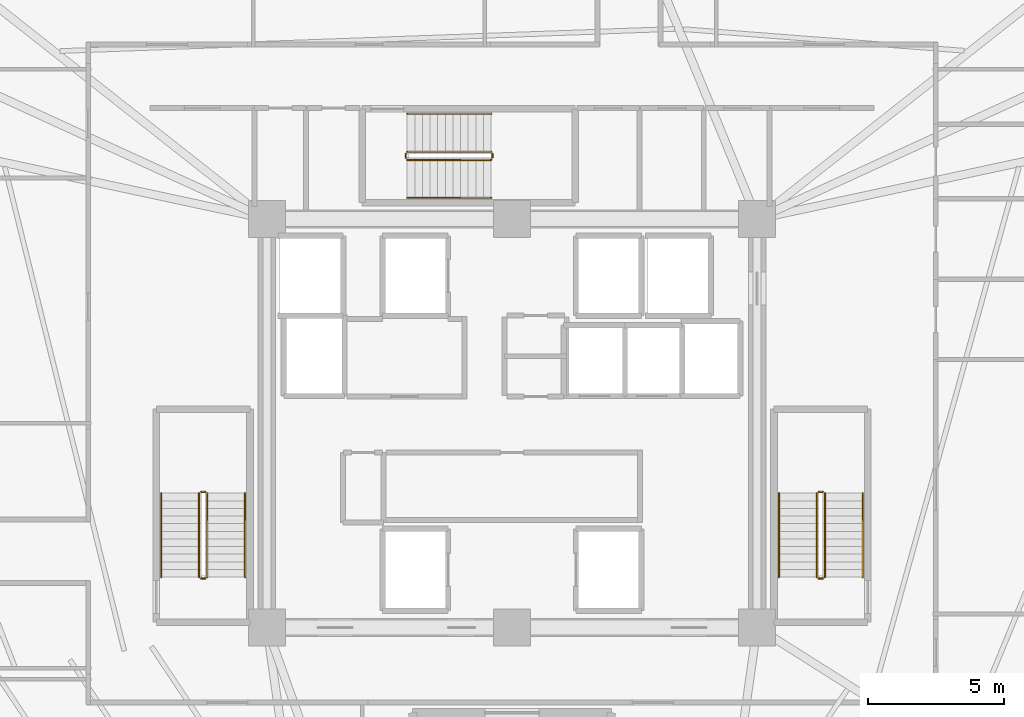
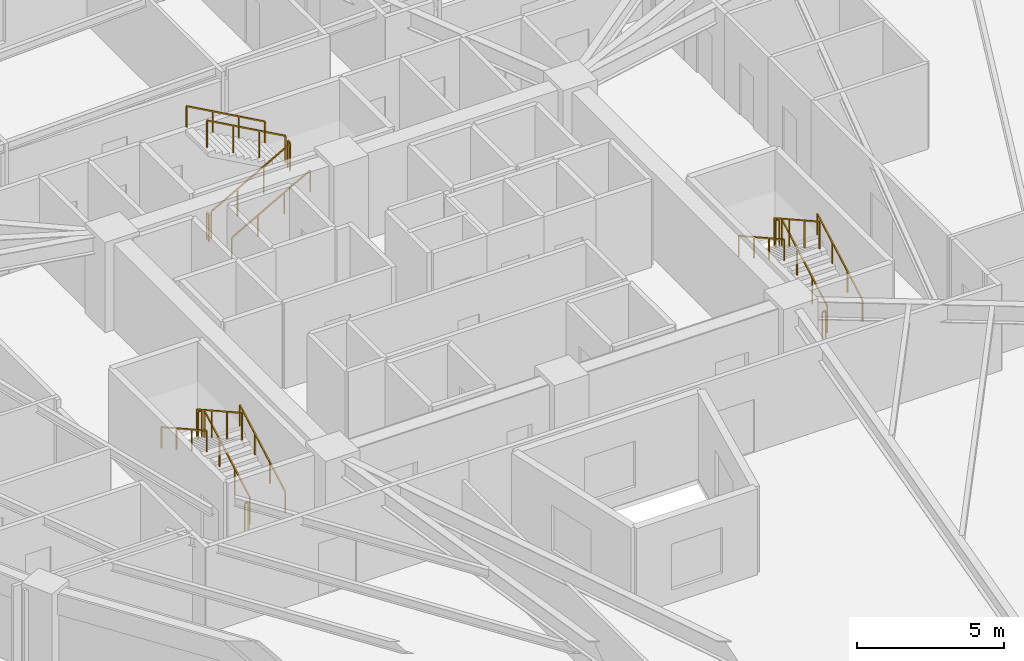
# One storey, part 8 of 8: 18 railings.
"""IFC4 building model written with IfcOpenShell, lengths in metres."""

import ifcopenshell
import ifcopenshell.guid

model = None  # the IFC model being written
_history = None  # IfcOwnerHistory: only IFC2X3 demands one
_inside = {}  # id of a spatial element -> (the spatial element, [elements in it])
_under = {}  # id of a project, library or spatial element -> (it, [spatial elements below it])
_declared = {}  # id of a project -> (the project, [libraries it declares])
_typed = {}  # id of a type object -> (the type object, [elements of that type])
_made_of = {}  # id of a material, layer set ... -> (it, [elements and type objects made of it])


def new_model(schema):
    """Start an empty IFC model of exactly this schema.

    Asked for "IFC4X3", IfcOpenShell would pick the latest addendum, in which some entities
    have other attributes; the version numbers below select the first issue.
    IFC2X3 requires an IfcOwnerHistory on every rooted entity: one is made here for all.
    """
    global model, _history
    if schema == "IFC4X3":
        model = ifcopenshell.file(schema_version=(4, 3, 0, 0))
    else:
        model = ifcopenshell.file(schema=schema)
    _inside.clear()
    _under.clear()
    _declared.clear()
    _typed.clear()
    _made_of.clear()
    _history = None
    if model.schema == "IFC2X3":
        org = make("IfcOrganization", Name="unknown")
        user = make(
            "IfcPersonAndOrganization",
            ThePerson=make("IfcPerson", FamilyName="unknown"),
            TheOrganization=org,
        )
        app = make(
            "IfcApplication",
            ApplicationDeveloper=org,
            Version="unknown",
            ApplicationFullName="unknown",
            ApplicationIdentifier="unknown",
        )
        _history = make(
            "IfcOwnerHistory",
            OwningUser=user,
            OwningApplication=app,
            ChangeAction="ADDED",
            CreationDate=0,
        )
    return model


def make(cls, **values):
    """One entity of the class cls with the attributes given. An attribute that is None is left unset."""
    return model.create_entity(
        cls, **{name: value for name, value in values.items() if value is not None}
    )


def rooted(cls, **values):
    """An entity with a GlobalId (a new one), such as an element, a storey or a relation."""
    return make(cls, GlobalId=ifcopenshell.guid.new(), OwnerHistory=_history, **values)


def si_unit(unit_type, name, prefix=None):
    """IfcSIUnit, for example si_unit("LENGTHUNIT", "METRE", prefix="MILLI")."""
    return make("IfcSIUnit", UnitType=unit_type, Prefix=prefix, Name=name)


def assignment(units):
    """IfcUnitAssignment: the units of a project."""
    return None if units is None else make("IfcUnitAssignment", Units=units)


def point(xyz):
    """IfcCartesianPoint."""
    return None if xyz is None else make("IfcCartesianPoint", Coordinates=xyz)


def direction(xyz):
    """IfcDirection."""
    return None if xyz is None else make("IfcDirection", DirectionRatios=xyz)


def frame(location, z_axis=None, x_axis=None):
    """IfcAxis2Placement3D, a coordinate frame: its origin and axes. An axis left out is left unset."""
    return make(
        "IfcAxis2Placement3D",
        Location=point(location),
        Axis=direction(z_axis),
        RefDirection=direction(x_axis),
    )


def frame_2d(location, x_axis=None):
    """IfcAxis2Placement2D, a coordinate frame in the plane: its origin and x axis."""
    return make(
        "IfcAxis2Placement2D", Location=point(location), RefDirection=direction(x_axis)
    )


def origin():
    """The frame at (0, 0, 0) with its axes left unset."""
    return frame((0.0, 0.0, 0.0))


def origin_2d():
    """The frame at (0, 0) in the plane with its x axis left unset."""
    return frame_2d((0.0, 0.0))


def place(relative_to, where):
    """IfcLocalPlacement: puts the frame where relative to a parent placement (None: the world)."""
    return make(
        "IfcLocalPlacement", PlacementRelTo=relative_to, RelativePlacement=where
    )


def context(
    kind, dimensions, precision=None, world=None, true_north=None, identifier=None
):
    """IfcGeometricRepresentationContext, for example the 3D "Model" context."""
    return make(
        "IfcGeometricRepresentationContext",
        ContextIdentifier=identifier,
        ContextType=kind,
        CoordinateSpaceDimension=dimensions,
        Precision=precision,
        WorldCoordinateSystem=world,
        TrueNorth=true_north,
    )


def subcontext(parent, identifier, kind, view, scale=None):
    """IfcGeometricRepresentationSubContext, for example "Body" below "Model"."""
    return make(
        "IfcGeometricRepresentationSubContext",
        ContextIdentifier=identifier,
        ContextType=kind,
        ParentContext=parent,
        TargetScale=scale,
        TargetView=view,
    )


def project(units=None, contexts=None):
    """IfcProject with its units and contexts."""
    return rooted(
        "IfcProject",
        Name="project",
        RepresentationContexts=contexts,
        UnitsInContext=assignment(units),
    )


def spatial(cls, under=None, at=None, **own):
    """A site, building, storey or space (cls), placed at a placement, below another one or the project."""
    s = rooted(cls, ObjectPlacement=at, **own)
    if under is not None:
        _under.setdefault(under.id(), (under, []))[1].append(s)
    return s


def profile(cls, at=None, kind="AREA", **sizes):
    """A parametric profile (cls). Its sizes go by their IFC names, for example OverallWidth=200.0."""
    return make(cls, ProfileType=kind, Position=at, **sizes)


def rectangle(**sizes):
    """IfcRectangleProfileDef."""
    return profile("IfcRectangleProfileDef", **sizes)


def extrude(swept, where, along, depth):
    """IfcExtrudedAreaSolid: the profile swept, set in the frame where, extruded along a direction by depth."""
    return make(
        "IfcExtrudedAreaSolid",
        SweptArea=swept,
        Position=where,
        ExtrudedDirection=direction(along),
        Depth=depth,
    )


def shape(context_of_items, identifier, shape_type, items):
    """IfcShapeRepresentation: the items that make up one representation, for example the "Body"."""
    return make(
        "IfcShapeRepresentation",
        ContextOfItems=context_of_items,
        RepresentationIdentifier=identifier,
        RepresentationType=shape_type,
        Items=items,
    )


def material(Name=None, Category=None):
    """IfcMaterial."""
    return make("IfcMaterial", Name=Name, Category=Category)


def made_of(thing, what):
    """Note that an element or type object is made of a material, layer set ...; save() writes the relation."""
    if what is not None:
        _made_of.setdefault(what.id(), (what, []))[1].append(thing)
    return thing


def type_object(cls, material=None, **own):
    """A type object (cls), such as IfcWallType, which elements share."""
    return made_of(rooted(cls, **own), material)


def element(
    cls,
    number,
    at=None,
    inside=None,
    cuts=None,
    type_object=None,
    material=None,
    context=None,
    identifier="Body",
    shape_type=None,
    held_by="IfcProductDefinitionShape",
    body=None,
    shapes=None,
    **own,
):
    """One element of the class cls, such as IfcWall. Its Tag is "e" and its number.

    at: its placement. inside: the storey or other place that contains it. cuts: it is an
    opening in that element (IfcRelVoidsElement). A single representation is given by context,
    identifier, shape_type and body (its items); several are given by shapes. held_by: the class
    of the entity that holds the representations. save() writes the other relations.
    """
    e = rooted(cls, Tag="e%d" % number, ObjectPlacement=at, **own)
    if body is not None:
        shapes = [shape(context, identifier, shape_type, body)]
    if shapes is not None:
        e.Representation = make(held_by, Representations=shapes)
    if inside is not None:
        _inside.setdefault(inside.id(), (inside, []))[1].append(e)
    if cuts is not None:
        rooted(
            "IfcRelVoidsElement", RelatingBuildingElement=cuts, RelatedOpeningElement=e
        )
    if type_object is not None:
        _typed.setdefault(type_object.id(), (type_object, []))[1].append(e)
    return made_of(e, material)


def aggregate(whole, parts):
    """IfcRelAggregates: a whole, such as a stair, and the parts it consists of."""
    return rooted("IfcRelAggregates", RelatingObject=whole, RelatedObjects=parts)


def save(model, path):
    """Write the relations noted so far, then the file.

    IfcRelAggregates (storeys below a building ...), IfcRelContainedInSpatialStructure (elements
    in a storey), IfcRelDefinesByType, IfcRelAssociatesMaterial and IfcRelDeclares: one each for
    every whole, place, type object, material and project.
    """
    for whole, parts in _under.values():
        aggregate(whole, parts)
    for where, things in _inside.values():
        rooted(
            "IfcRelContainedInSpatialStructure",
            RelatedElements=things,
            RelatingStructure=where,
        )
    for kind, things in _typed.values():
        rooted("IfcRelDefinesByType", RelatedObjects=things, RelatingType=kind)
    for what, things in _made_of.values():
        rooted("IfcRelAssociatesMaterial", RelatedObjects=things, RelatingMaterial=what)
    for by, libraries in _declared.values():
        rooted("IfcRelDeclares", RelatingContext=by, RelatedDefinitions=libraries)
    model.write(path)


model = new_model("IFC4")

# Units and contexts
model_context = context("Model", 3, precision=1e-05, world=origin(), true_north=direction((0.0, 1.0)))
body_context = subcontext(model_context, "Body", "Model", "MODEL_VIEW")
ifc_project = project(units=[si_unit("LENGTHUNIT", "METRE"), si_unit("AREAUNIT", "SQUARE_METRE"), si_unit("VOLUMEUNIT", "CUBIC_METRE"), si_unit("PLANEANGLEUNIT", "RADIAN"), si_unit("MASSUNIT", "GRAM", prefix="KILO")], contexts=[model_context])

# Site, building, storey
site_placement = place(None, origin())
site = spatial("IfcSite", under=ifc_project, at=site_placement, CompositionType="ELEMENT")
building_placement = place(site_placement, origin())
building = spatial("IfcBuilding", under=site, at=building_placement, Name="Liaohun Quay Tower", CompositionType="ELEMENT")
storey_placement = place(building_placement, frame((0.0, 0.0, 247.5)))
storey = spatial("IfcBuildingStorey", under=building, at=storey_placement, Name="L64", CompositionType="ELEMENT", Elevation=247.5)

# Railings
ifc_material_1 = material(Name="Painted tubular steel", Category="steel")
railing_type_1 = type_object("IfcRailingType", Name="RLG-GUARD-STR", PredefinedType="GUARDRAIL", material=ifc_material_1)
railing_1_placement = place(storey_placement, frame((48.81005859375, 48.35009765625, 0.15625)))
element("IfcRailing", 1, at=railing_1_placement, inside=storey, type_object=railing_type_1, Name="L64 ST-1 stair guard 1", PredefinedType="GUARDRAIL", context=body_context, shape_type="SweptSolid", body=[
    extrude(rectangle(XDim=0.048095703125, YDim=0.048095703125, at=origin_2d()), frame((0.0, 0.0, 1.1259765625), z_axis=(0.0, 0.873225103656, 0.487317061414), x_axis=(-1.0, 0.0, 0.0)), (0.0, 0.0, 1.0), 3.52685546875),
    extrude(rectangle(XDim=0.0419921875, YDim=0.0419921875, at=origin_2d()), origin(), (0.0, 0.0, 1.0), 1.101806640625),
    extrude(rectangle(XDim=0.0419921875, YDim=0.0419921875, at=origin_2d()), frame((0.0, 1.026611328125, 0.572998046875)), (0.0, 0.0, 1.0), 1.101806640625),
    extrude(rectangle(XDim=0.0419921875, YDim=0.0419921875, at=origin_2d()), frame((0.0, 2.05322265625, 1.145751953125)), (0.0, 0.0, 1.0), 1.101806640625),
    extrude(rectangle(XDim=0.0419921875, YDim=0.0419921875, at=origin_2d()), frame((0.0, 3.079833984375, 1.71875)), (0.0, 0.0, 1.0), 1.101806640625),
])
railing_2_placement = place(storey_placement, frame((48.72998046875, 51.47998046875, 1.875)))
element("IfcRailing", 2, at=railing_2_placement, inside=storey, type_object=railing_type_1, Name="L64 ST-1 stair guard 2", PredefinedType="GUARDRAIL", context=body_context, shape_type="SweptSolid", body=[
    extrude(rectangle(XDim=0.048095703125, YDim=0.048095703125, at=origin_2d()), frame((0.0, 0.0, 1.1259765625), z_axis=(-1.0, 0.0, 0.0), x_axis=(0.0, -1.0, 0.0)), (0.0, 0.0, 1.0), 0.139892578125),
    extrude(rectangle(XDim=0.0419921875, YDim=0.0419921875, at=origin_2d()), origin(), (0.0, 0.0, 1.0), 1.101806640625),
    extrude(rectangle(XDim=0.0419921875, YDim=0.0419921875, at=origin_2d()), frame((-0.139892578125, 0.0, 0.0)), (0.0, 0.0, 1.0), 1.101806640625),
])
railing_3_placement = place(storey_placement, frame((48.510009765625, 51.429931640625, 2.03125)))
element("IfcRailing", 3, at=railing_3_placement, inside=storey, type_object=railing_type_1, Name="L64 ST-1 stair guard 3", PredefinedType="GUARDRAIL", context=body_context, shape_type="SweptSolid", body=[
    extrude(rectangle(XDim=0.048095703125, YDim=0.048095703125, at=origin_2d()), frame((0.0, 0.0, 1.1259765625), z_axis=(0.0, -0.873225103656, 0.487317061414), x_axis=(1.0, 0.0, 0.0)), (0.0, 0.0, 1.0), 3.52685546875),
    extrude(rectangle(XDim=0.0419921875, YDim=0.0419921875, at=origin_2d()), origin(), (0.0, 0.0, 1.0), 1.101806640625),
    extrude(rectangle(XDim=0.0419921875, YDim=0.0419921875, at=origin_2d()), frame((0.0, -1.026611328125, 0.572998046875)), (0.0, 0.0, 1.0), 1.101806640625),
    extrude(rectangle(XDim=0.0419921875, YDim=0.0419921875, at=origin_2d()), frame((0.0, -2.05322265625, 1.145751953125)), (0.0, 0.0, 1.0), 1.101806640625),
    extrude(rectangle(XDim=0.0419921875, YDim=0.0419921875, at=origin_2d()), frame((0.0, -3.079833984375, 1.71875)), (0.0, 0.0, 1.0), 1.101806640625),
])
railing_4_placement = place(storey_placement, frame((48.72998046875, 48.300048828125, 0.0)))
element("IfcRailing", 4, at=railing_4_placement, inside=storey, type_object=railing_type_1, Name="L64 ST-1 stair guard 4", PredefinedType="GUARDRAIL", context=body_context, shape_type="SweptSolid", body=[
    extrude(rectangle(XDim=0.048095703125, YDim=0.048095703125, at=origin_2d()), frame((0.0, 0.0, 1.1259765625), z_axis=(-1.0, 0.0, 0.0), x_axis=(0.0, -1.0, 0.0)), (0.0, 0.0, 1.0), 0.139892578125),
    extrude(rectangle(XDim=0.0419921875, YDim=0.0419921875, at=origin_2d()), origin(), (0.0, 0.0, 1.0), 1.101806640625),
    extrude(rectangle(XDim=0.0419921875, YDim=0.0419921875, at=origin_2d()), frame((-0.139892578125, 0.0, 0.0)), (0.0, 0.0, 1.0), 1.101806640625),
])
railing_5_placement = place(storey_placement, frame((71.489990234375, 48.35009765625, 0.15625)))
element("IfcRailing", 5, at=railing_5_placement, inside=storey, type_object=railing_type_1, Name="L64 ST-2 stair guard 1", PredefinedType="GUARDRAIL", context=body_context, shape_type="SweptSolid", body=[
    extrude(rectangle(XDim=0.048095703125, YDim=0.048095703125, at=origin_2d()), frame((0.0, 0.0, 1.1259765625), z_axis=(0.0, 0.873225103656, 0.487317061414), x_axis=(-1.0, 0.0, 0.0)), (0.0, 0.0, 1.0), 3.52685546875),
    extrude(rectangle(XDim=0.0419921875, YDim=0.0419921875, at=origin_2d()), origin(), (0.0, 0.0, 1.0), 1.101806640625),
    extrude(rectangle(XDim=0.0419921875, YDim=0.0419921875, at=origin_2d()), frame((0.0, 1.026611328125, 0.572998046875)), (0.0, 0.0, 1.0), 1.101806640625),
    extrude(rectangle(XDim=0.0419921875, YDim=0.0419921875, at=origin_2d()), frame((0.0, 2.05322265625, 1.145751953125)), (0.0, 0.0, 1.0), 1.101806640625),
    extrude(rectangle(XDim=0.0419921875, YDim=0.0419921875, at=origin_2d()), frame((0.0, 3.079833984375, 1.71875)), (0.0, 0.0, 1.0), 1.101806640625),
])
railing_6_placement = place(storey_placement, frame((71.409912109375, 51.47998046875, 1.875)))
element("IfcRailing", 6, at=railing_6_placement, inside=storey, type_object=railing_type_1, Name="L64 ST-2 stair guard 2", PredefinedType="GUARDRAIL", context=body_context, shape_type="SweptSolid", body=[
    extrude(rectangle(XDim=0.048095703125, YDim=0.048095703125, at=origin_2d()), frame((0.0, 0.0, 1.1259765625), z_axis=(-1.0, 0.0, 0.0), x_axis=(0.0, -1.0, 0.0)), (0.0, 0.0, 1.0), 0.139892578125),
    extrude(rectangle(XDim=0.0419921875, YDim=0.0419921875, at=origin_2d()), origin(), (0.0, 0.0, 1.0), 1.101806640625),
    extrude(rectangle(XDim=0.0419921875, YDim=0.0419921875, at=origin_2d()), frame((-0.139892578125, 0.0, 0.0)), (0.0, 0.0, 1.0), 1.101806640625),
])
railing_7_placement = place(storey_placement, frame((71.18994140625, 51.429931640625, 2.03125)))
element("IfcRailing", 7, at=railing_7_placement, inside=storey, type_object=railing_type_1, Name="L64 ST-2 stair guard 3", PredefinedType="GUARDRAIL", context=body_context, shape_type="SweptSolid", body=[
    extrude(rectangle(XDim=0.048095703125, YDim=0.048095703125, at=origin_2d()), frame((0.0, 0.0, 1.1259765625), z_axis=(0.0, -0.873225103656, 0.487317061414), x_axis=(1.0, 0.0, 0.0)), (0.0, 0.0, 1.0), 3.52685546875),
    extrude(rectangle(XDim=0.0419921875, YDim=0.0419921875, at=origin_2d()), origin(), (0.0, 0.0, 1.0), 1.101806640625),
    extrude(rectangle(XDim=0.0419921875, YDim=0.0419921875, at=origin_2d()), frame((0.0, -1.026611328125, 0.572998046875)), (0.0, 0.0, 1.0), 1.101806640625),
    extrude(rectangle(XDim=0.0419921875, YDim=0.0419921875, at=origin_2d()), frame((0.0, -2.05322265625, 1.145751953125)), (0.0, 0.0, 1.0), 1.101806640625),
    extrude(rectangle(XDim=0.0419921875, YDim=0.0419921875, at=origin_2d()), frame((0.0, -3.079833984375, 1.71875)), (0.0, 0.0, 1.0), 1.101806640625),
])
railing_8_placement = place(storey_placement, frame((71.409912109375, 48.300048828125, 0.0)))
element("IfcRailing", 8, at=railing_8_placement, inside=storey, type_object=railing_type_1, Name="L64 ST-2 stair guard 4", PredefinedType="GUARDRAIL", context=body_context, shape_type="SweptSolid", body=[
    extrude(rectangle(XDim=0.048095703125, YDim=0.048095703125, at=origin_2d()), frame((0.0, 0.0, 1.1259765625), z_axis=(-1.0, 0.0, 0.0), x_axis=(0.0, -1.0, 0.0)), (0.0, 0.0, 1.0), 0.139892578125),
    extrude(rectangle(XDim=0.0419921875, YDim=0.0419921875, at=origin_2d()), origin(), (0.0, 0.0, 1.0), 1.101806640625),
    extrude(rectangle(XDim=0.0419921875, YDim=0.0419921875, at=origin_2d()), frame((-0.139892578125, 0.0, 0.0)), (0.0, 0.0, 1.0), 1.101806640625),
])
railing_9_placement = place(storey_placement, frame((56.14990234375, 63.669921875, 0.15625)))
element("IfcRailing", 9, at=railing_9_placement, inside=storey, type_object=railing_type_1, Name="L64 ST-3 stair guard 1", PredefinedType="GUARDRAIL", context=body_context, shape_type="SweptSolid", body=[
    extrude(rectangle(XDim=0.048095703125, YDim=0.048095703125, at=origin_2d()), frame((0.0, 0.0, 1.1259765625), z_axis=(0.873241540666, 0.0, 0.487287606713), x_axis=(0.0, 1.0, 0.0)), (0.0, 0.0, 1.0), 3.527099609375),
    extrude(rectangle(XDim=0.0419921875, YDim=0.0419921875, at=origin_2d()), origin(), (0.0, 0.0, 1.0), 1.101806640625),
    extrude(rectangle(XDim=0.0419921875, YDim=0.0419921875, at=origin_2d()), frame((1.026611328125, 0.0, 0.572998046875)), (0.0, 0.0, 1.0), 1.101806640625),
    extrude(rectangle(XDim=0.0419921875, YDim=0.0419921875, at=origin_2d()), frame((2.053466796875, 0.0, 1.145751953125)), (0.0, 0.0, 1.0), 1.101806640625),
    extrude(rectangle(XDim=0.0419921875, YDim=0.0419921875, at=origin_2d()), frame((3.080078125, 0.0, 1.71875)), (0.0, 0.0, 1.0), 1.101806640625),
])
railing_10_placement = place(storey_placement, frame((59.280029296875, 63.75, 1.875)))
element("IfcRailing", 10, at=railing_10_placement, inside=storey, type_object=railing_type_1, Name="L64 ST-3 stair guard 2", PredefinedType="GUARDRAIL", context=body_context, shape_type="SweptSolid", body=[
    extrude(rectangle(XDim=0.048095703125, YDim=0.048095703125, at=origin_2d()), frame((0.0, 0.0, 1.1259765625), z_axis=(0.0, 1.0, 0.0), x_axis=(-1.0, 0.0, 0.0)), (0.0, 0.0, 1.0), 0.139892578125),
    extrude(rectangle(XDim=0.0419921875, YDim=0.0419921875, at=origin_2d()), origin(), (0.0, 0.0, 1.0), 1.101806640625),
    extrude(rectangle(XDim=0.0419921875, YDim=0.0419921875, at=origin_2d()), frame((0.0, 0.139892578125, 0.0)), (0.0, 0.0, 1.0), 1.101806640625),
])
railing_11_placement = place(storey_placement, frame((59.22998046875, 63.969970703125, 2.03125)))
element("IfcRailing", 11, at=railing_11_placement, inside=storey, type_object=railing_type_1, Name="L64 ST-3 stair guard 3", PredefinedType="GUARDRAIL", context=body_context, shape_type="SweptSolid", body=[
    extrude(rectangle(XDim=0.048095703125, YDim=0.048095703125, at=origin_2d()), frame((0.0, 0.0, 1.1259765625), z_axis=(-0.873241540666, 0.0, 0.487287606713), x_axis=(0.0, -1.0, 0.0)), (0.0, 0.0, 1.0), 3.527099609375),
    extrude(rectangle(XDim=0.0419921875, YDim=0.0419921875, at=origin_2d()), origin(), (0.0, 0.0, 1.0), 1.101806640625),
    extrude(rectangle(XDim=0.0419921875, YDim=0.0419921875, at=origin_2d()), frame((-1.026611328125, 0.0, 0.572998046875)), (0.0, 0.0, 1.0), 1.101806640625),
    extrude(rectangle(XDim=0.0419921875, YDim=0.0419921875, at=origin_2d()), frame((-2.053466796875, 0.0, 1.145751953125)), (0.0, 0.0, 1.0), 1.101806640625),
    extrude(rectangle(XDim=0.0419921875, YDim=0.0419921875, at=origin_2d()), frame((-3.080078125, 0.0, 1.71875)), (0.0, 0.0, 1.0), 1.101806640625),
])
railing_12_placement = place(storey_placement, frame((56.10009765625, 63.75, 0.0)))
element("IfcRailing", 12, at=railing_12_placement, inside=storey, type_object=railing_type_1, Name="L64 ST-3 stair guard 4", PredefinedType="GUARDRAIL", context=body_context, shape_type="SweptSolid", body=[
    extrude(rectangle(XDim=0.048095703125, YDim=0.048095703125, at=origin_2d()), frame((0.0, 0.0, 1.1259765625), z_axis=(0.0, 1.0, 0.0), x_axis=(-1.0, 0.0, 0.0)), (0.0, 0.0, 1.0), 0.139892578125),
    extrude(rectangle(XDim=0.0419921875, YDim=0.0419921875, at=origin_2d()), origin(), (0.0, 0.0, 1.0), 1.101806640625),
    extrude(rectangle(XDim=0.0419921875, YDim=0.0419921875, at=origin_2d()), frame((0.0, 0.139892578125, 0.0)), (0.0, 0.0, 1.0), 1.101806640625),
])
ifc_material_2 = material(Name="Brushed stainless steel", Category="steel")
railing_type_2 = type_object("IfcRailingType", Name="RLG-HND-STR", PredefinedType="HANDRAIL", material=ifc_material_2)
railing_13_placement = place(storey_placement, frame((50.199951171875, 48.35009765625, 0.15625)))
element("IfcRailing", 13, at=railing_13_placement, inside=storey, type_object=railing_type_2, Name="L64 ST-1 stair handrail 1", PredefinedType="HANDRAIL", context=body_context, shape_type="SweptSolid", body=[
    extrude(rectangle(XDim=0.048095703125, YDim=0.048095703125, at=origin_2d()), frame((0.0, 0.0, 0.8759765625), z_axis=(0.0, 0.873225103656, 0.487317061414), x_axis=(-1.0, 0.0, 0.0)), (0.0, 0.0, 1.0), 3.52685546875),
    extrude(rectangle(XDim=0.0419921875, YDim=0.0419921875, at=origin_2d()), origin(), (0.0, 0.0, 1.0), 0.851806640625),
    extrude(rectangle(XDim=0.0419921875, YDim=0.0419921875, at=origin_2d()), frame((0.0, 1.026611328125, 0.572998046875)), (0.0, 0.0, 1.0), 0.851806640625),
    extrude(rectangle(XDim=0.0419921875, YDim=0.0419921875, at=origin_2d()), frame((0.0, 2.05322265625, 1.145751953125)), (0.0, 0.0, 1.0), 0.851806640625),
    extrude(rectangle(XDim=0.0419921875, YDim=0.0419921875, at=origin_2d()), frame((0.0, 3.079833984375, 1.71875)), (0.0, 0.0, 1.0), 0.851806640625),
])
railing_14_placement = place(storey_placement, frame((47.1201171875, 51.429931640625, 2.03125)))
element("IfcRailing", 14, at=railing_14_placement, inside=storey, type_object=railing_type_2, Name="L64 ST-1 stair handrail 2", PredefinedType="HANDRAIL", context=body_context, shape_type="SweptSolid", body=[
    extrude(rectangle(XDim=0.048095703125, YDim=0.048095703125, at=origin_2d()), frame((0.0, 0.0, 0.8759765625), z_axis=(0.0, -0.873225103656, 0.487317061414), x_axis=(1.0, 0.0, 0.0)), (0.0, 0.0, 1.0), 3.52685546875),
    extrude(rectangle(XDim=0.0419921875, YDim=0.0419921875, at=origin_2d()), origin(), (0.0, 0.0, 1.0), 0.851806640625),
    extrude(rectangle(XDim=0.0419921875, YDim=0.0419921875, at=origin_2d()), frame((0.0, -1.026611328125, 0.572998046875)), (0.0, 0.0, 1.0), 0.851806640625),
    extrude(rectangle(XDim=0.0419921875, YDim=0.0419921875, at=origin_2d()), frame((0.0, -2.05322265625, 1.145751953125)), (0.0, 0.0, 1.0), 0.851806640625),
    extrude(rectangle(XDim=0.0419921875, YDim=0.0419921875, at=origin_2d()), frame((0.0, -3.079833984375, 1.71875)), (0.0, 0.0, 1.0), 0.851806640625),
])
railing_15_placement = place(storey_placement, frame((72.8798828125, 48.35009765625, 0.15625)))
element("IfcRailing", 15, at=railing_15_placement, inside=storey, type_object=railing_type_2, Name="L64 ST-2 stair handrail 1", PredefinedType="HANDRAIL", context=body_context, shape_type="SweptSolid", body=[
    extrude(rectangle(XDim=0.048095703125, YDim=0.048095703125, at=origin_2d()), frame((0.0, 0.0, 0.8759765625), z_axis=(0.0, 0.873225103656, 0.487317061414), x_axis=(-1.0, 0.0, 0.0)), (0.0, 0.0, 1.0), 3.52685546875),
    extrude(rectangle(XDim=0.0419921875, YDim=0.0419921875, at=origin_2d()), origin(), (0.0, 0.0, 1.0), 0.851806640625),
    extrude(rectangle(XDim=0.0419921875, YDim=0.0419921875, at=origin_2d()), frame((0.0, 1.026611328125, 0.572998046875)), (0.0, 0.0, 1.0), 0.851806640625),
    extrude(rectangle(XDim=0.0419921875, YDim=0.0419921875, at=origin_2d()), frame((0.0, 2.05322265625, 1.145751953125)), (0.0, 0.0, 1.0), 0.851806640625),
    extrude(rectangle(XDim=0.0419921875, YDim=0.0419921875, at=origin_2d()), frame((0.0, 3.079833984375, 1.71875)), (0.0, 0.0, 1.0), 0.851806640625),
])
railing_16_placement = place(storey_placement, frame((69.800048828125, 51.429931640625, 2.03125)))
element("IfcRailing", 16, at=railing_16_placement, inside=storey, type_object=railing_type_2, Name="L64 ST-2 stair handrail 2", PredefinedType="HANDRAIL", context=body_context, shape_type="SweptSolid", body=[
    extrude(rectangle(XDim=0.048095703125, YDim=0.048095703125, at=origin_2d()), frame((0.0, 0.0, 0.8759765625), z_axis=(0.0, -0.873225103656, 0.487317061414), x_axis=(1.0, 0.0, 0.0)), (0.0, 0.0, 1.0), 3.52685546875),
    extrude(rectangle(XDim=0.0419921875, YDim=0.0419921875, at=origin_2d()), origin(), (0.0, 0.0, 1.0), 0.851806640625),
    extrude(rectangle(XDim=0.0419921875, YDim=0.0419921875, at=origin_2d()), frame((0.0, -1.026611328125, 0.572998046875)), (0.0, 0.0, 1.0), 0.851806640625),
    extrude(rectangle(XDim=0.0419921875, YDim=0.0419921875, at=origin_2d()), frame((0.0, -2.05322265625, 1.145751953125)), (0.0, 0.0, 1.0), 0.851806640625),
    extrude(rectangle(XDim=0.0419921875, YDim=0.0419921875, at=origin_2d()), frame((0.0, -3.079833984375, 1.71875)), (0.0, 0.0, 1.0), 0.851806640625),
])
railing_17_placement = place(storey_placement, frame((56.14990234375, 62.280029296875, 0.15625)))
element("IfcRailing", 17, at=railing_17_placement, inside=storey, type_object=railing_type_2, Name="L64 ST-3 stair handrail 1", PredefinedType="HANDRAIL", context=body_context, shape_type="SweptSolid", body=[
    extrude(rectangle(XDim=0.048095703125, YDim=0.048095703125, at=origin_2d()), frame((0.0, 0.0, 0.8759765625), z_axis=(0.873241540666, 0.0, 0.487287606713), x_axis=(0.0, 1.0, 0.0)), (0.0, 0.0, 1.0), 3.527099609375),
    extrude(rectangle(XDim=0.0419921875, YDim=0.0419921875, at=origin_2d()), origin(), (0.0, 0.0, 1.0), 0.851806640625),
    extrude(rectangle(XDim=0.0419921875, YDim=0.0419921875, at=origin_2d()), frame((1.026611328125, 0.0, 0.572998046875)), (0.0, 0.0, 1.0), 0.851806640625),
    extrude(rectangle(XDim=0.0419921875, YDim=0.0419921875, at=origin_2d()), frame((2.053466796875, 0.0, 1.145751953125)), (0.0, 0.0, 1.0), 0.851806640625),
    extrude(rectangle(XDim=0.0419921875, YDim=0.0419921875, at=origin_2d()), frame((3.080078125, 0.0, 1.71875)), (0.0, 0.0, 1.0), 0.851806640625),
])
railing_18_placement = place(storey_placement, frame((59.22998046875, 65.360107421875, 2.03125)))
element("IfcRailing", 18, at=railing_18_placement, inside=storey, type_object=railing_type_2, Name="L64 ST-3 stair handrail 2", PredefinedType="HANDRAIL", context=body_context, shape_type="SweptSolid", body=[
    extrude(rectangle(XDim=0.048095703125, YDim=0.048095703125, at=origin_2d()), frame((0.0, 0.0, 0.8759765625), z_axis=(-0.873241540666, 0.0, 0.487287606713), x_axis=(0.0, -1.0, 0.0)), (0.0, 0.0, 1.0), 3.527099609375),
    extrude(rectangle(XDim=0.0419921875, YDim=0.0419921875, at=origin_2d()), origin(), (0.0, 0.0, 1.0), 0.851806640625),
    extrude(rectangle(XDim=0.0419921875, YDim=0.0419921875, at=origin_2d()), frame((-1.026611328125, 0.0, 0.572998046875)), (0.0, 0.0, 1.0), 0.851806640625),
    extrude(rectangle(XDim=0.0419921875, YDim=0.0419921875, at=origin_2d()), frame((-2.053466796875, 0.0, 1.145751953125)), (0.0, 0.0, 1.0), 0.851806640625),
    extrude(rectangle(XDim=0.0419921875, YDim=0.0419921875, at=origin_2d()), frame((-3.080078125, 0.0, 1.71875)), (0.0, 0.0, 1.0), 0.851806640625),
])

save(model, "model.ifc")
